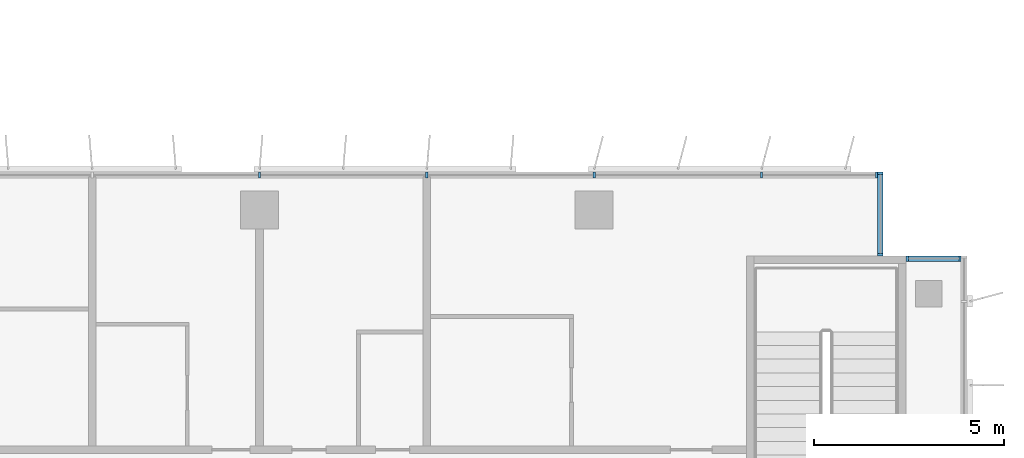
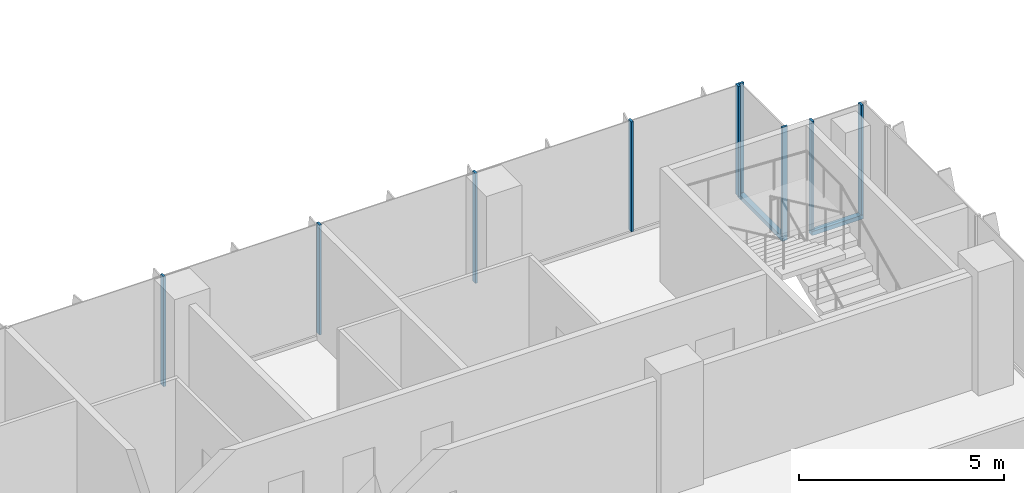
# One storey, part 4 of 21: 11 members, 3 elements without a shape of their own.
"""IFC4 building model written with IfcOpenShell, lengths in metres."""

from ifc_helpers import new_model, si_unit, direction, frame, origin, origin_2d, place, context, subcontext, project, spatial, rectangle, extrude, source, transform, mapped, material, material_profile, profile_set, type_object, element, aggregate, save


model = new_model("IFC4")

# Units and contexts
model_context = context("Model", 3, precision=1e-05, world=origin(), true_north=direction((0.0, 1.0)))
body_context = subcontext(model_context, "Body", "Model", "MODEL_VIEW")
ifc_project = project(units=[si_unit("LENGTHUNIT", "METRE"), si_unit("AREAUNIT", "SQUARE_METRE"), si_unit("VOLUMEUNIT", "CUBIC_METRE"), si_unit("PLANEANGLEUNIT", "RADIAN"), si_unit("MASSUNIT", "GRAM", prefix="KILO")], contexts=[model_context])

# Site, building, storey
site_placement = place(None, origin())
site = spatial("IfcSite", under=ifc_project, at=site_placement, CompositionType="ELEMENT")
building_placement = place(site_placement, origin())
building = spatial("IfcBuilding", under=site, at=building_placement, Name="Kemantara Hotel Tower", CompositionType="ELEMENT")
storey_placement = place(building_placement, frame((0.0, 0.0, 179.0)))
storey = spatial("IfcBuildingStorey", under=building, at=storey_placement, Name="L44", CompositionType="ELEMENT", Elevation=179.0)

# Curtain wall, member
ifc_material_1 = material(Name="Low-E tinted double insulated glass 36 mm", Category="glass")
curtain_wall_type = type_object("IfcCurtainWallType", Name="TOWER CURTAIN WALL, FRONT FACES", PredefinedType="USERDEFINED", material=ifc_material_1)
curtain_wall_1_placement = place(storey_placement, origin())
curtain_wall_1 = element("IfcCurtainWall", 1, at=curtain_wall_1_placement, inside=storey, type_object=curtain_wall_type, Name="CW4 L44 T3-R12-1", ObjectType="TOWER CURTAIN WALL, FRONT FACES", PredefinedType="USERDEFINED")
ifc_material_2 = material(Name="Aluminium 6063-T6 bronze anodised", Category="aluminium")
ifc_material_profile_1 = material_profile(ifc_material_2, rectangle(XDim=0.14990234375, YDim=0.1201171875, at=origin_2d()), Name="TOWER CURTAIN WALL, FRONT FACES TRANSOM")
ifc_profile_set_1 = profile_set([ifc_material_profile_1], Name="Aluminium 6063-T6 bronze anodised")
member_type_1 = type_object("IfcMemberType", Name="TOWER CURTAIN WALL, FRONT FACES TRANSOM", PredefinedType="USERDEFINED", material=ifc_profile_set_1)
member_1_placement = place(storey_placement, frame((63.449951171875, 19.72509765625, 0.06005859375), z_axis=(-1.0, 0.0, 0.0), x_axis=(0.0, -1.0, 0.0)))
member_1 = element("IfcMember", 2, at=member_1_placement, type_object=member_type_1, Name="CW4 sill transom T3-R12-1", ObjectType="TRANSOM", PredefinedType="USERDEFINED", context=body_context, shape_type="SweptSolid", body=[
    extrude(rectangle(XDim=0.14990234375, YDim=0.1201171875, at=origin_2d()), origin(), (0.0, 0.0, 1.0), 1.449951171875),
])

curtain_wall_2_placement = place(storey_placement, origin())
curtain_wall_2 = element("IfcCurtainWall", 3, at=curtain_wall_2_placement, inside=storey, type_object=curtain_wall_type, Name="CW4 L44 T3-R13-1", ObjectType="TOWER CURTAIN WALL, FRONT FACES", PredefinedType="USERDEFINED")
member_2_placement = place(storey_placement, frame((61.324951171875, 19.800048828125, 0.06005859375), z_axis=(0.0, 1.0, 0.0), x_axis=(-1.0, 0.0, 0.0)))
member_2 = element("IfcMember", 4, at=member_2_placement, type_object=member_type_1, Name="CW4 sill transom T3-R13-1", ObjectType="TRANSOM", PredefinedType="USERDEFINED", context=body_context, shape_type="SweptSolid", body=[
    extrude(rectangle(XDim=0.14990234375, YDim=0.1201171875, at=origin_2d()), origin(), (0.0, 0.0, 1.0), 2.199951171875),
])

# Curtain wall, members
curtain_wall_3_placement = place(storey_placement, origin())
curtain_wall_3 = element("IfcCurtainWall", 5, at=curtain_wall_3_placement, inside=storey, type_object=curtain_wall_type, Name="CW4 L44 T3-R14-1", ObjectType="TOWER CURTAIN WALL, FRONT FACES", PredefinedType="USERDEFINED")
ifc_material_profile_2 = material_profile(ifc_material_2, rectangle(XDim=0.14990234375, YDim=0.06005859375, at=origin_2d()), Name="TOWER CURTAIN WALL, FRONT FACES MULLION")
ifc_profile_set_2 = profile_set([ifc_material_profile_2], Name="Aluminium 6063-T6 bronze anodised")
member_type_2 = type_object("IfcMemberType", Name="TOWER CURTAIN WALL, FRONT FACES MULLION", PredefinedType="MULLION", material=ifc_profile_set_2)
shared_shape = source(origin(), body_context, "Body", "SweptSolid", [
    extrude(rectangle(XDim=0.14990234375, YDim=0.06005859375, at=origin_2d()), origin(), (0.0, 0.0, 1.0), 3.27978515625),
])
member_3_placement = place(storey_placement, frame((61.219970703125, 21.925048828125, 0.1201171875), z_axis=(0.0, 0.0, 1.0), x_axis=(0.0, -1.0, 0.0)))
member_3 = element("IfcMember", 6, at=member_3_placement, type_object=member_type_2, Name="CW4 mullion T3-R14-1.1", PredefinedType="MULLION", context=body_context, shape_type="MappedRepresentation", body=[
    mapped(shared_shape, transform((0.0, 0.0, 0.0))),
])
member_4_placement = place(storey_placement, frame((58.199951171875, 21.925048828125, 0.1201171875), z_axis=(0.0, 0.0, 1.0), x_axis=(0.0, -1.0, 0.0)))
member_4 = element("IfcMember", 7, at=member_4_placement, type_object=member_type_2, Name="CW4 mullion T3-R14-1.2", PredefinedType="MULLION", context=body_context, shape_type="MappedRepresentation", body=[
    mapped(shared_shape, transform((0.0, 0.0, 0.0))),
])
member_5_placement = place(storey_placement, frame((53.800048828125, 21.925048828125, 0.1201171875), z_axis=(0.0, 0.0, 1.0), x_axis=(0.0, -1.0, 0.0)))
member_5 = element("IfcMember", 8, at=member_5_placement, type_object=member_type_2, Name="CW4 mullion T3-R14-1.3", PredefinedType="MULLION", context=body_context, shape_type="MappedRepresentation", body=[
    mapped(shared_shape, transform((0.0, 0.0, 0.0))),
])
member_6_placement = place(storey_placement, frame((49.39990234375, 21.925048828125, 0.1201171875), z_axis=(0.0, 0.0, 1.0), x_axis=(0.0, -1.0, 0.0)))
member_6 = element("IfcMember", 9, at=member_6_placement, type_object=member_type_2, Name="CW4 mullion T3-R14-1.4", PredefinedType="MULLION", context=body_context, shape_type="MappedRepresentation", body=[
    mapped(shared_shape, transform((0.0, 0.0, 0.0))),
])
member_7_placement = place(storey_placement, frame((45.0, 21.925048828125, 0.1201171875), z_axis=(0.0, 0.0, 1.0), x_axis=(0.0, -1.0, 0.0)))
member_7 = element("IfcMember", 10, at=member_7_placement, type_object=member_type_2, Name="CW4 mullion T3-R14-1.5", PredefinedType="MULLION", context=body_context, shape_type="MappedRepresentation", body=[
    mapped(shared_shape, transform((0.0, 0.0, 0.0))),
])
aggregate(curtain_wall_3, [member_3, member_4, member_5, member_6, member_7])

# Member
member_8_placement = place(storey_placement, frame((63.419921875, 19.72509765625, 0.1201171875), z_axis=(0.0, 0.0, 1.0), x_axis=(0.0, -1.0, 0.0)))
member_8 = element("IfcMember", 11, at=member_8_placement, type_object=member_type_2, Name="CW4 mullion T3-R12-1.1", PredefinedType="MULLION", context=body_context, shape_type="MappedRepresentation", body=[
    mapped(shared_shape, transform((0.0, 0.0, 0.0))),
])

member_9_placement = place(storey_placement, frame((62.030029296875, 19.72509765625, 0.1201171875), z_axis=(0.0, 0.0, 1.0), x_axis=(0.0, -1.0, 0.0)))
member_9 = element("IfcMember", 12, at=member_9_placement, type_object=member_type_2, Name="CW4 mullion T3-R12-1.2", PredefinedType="MULLION", context=body_context, shape_type="MappedRepresentation", body=[
    mapped(shared_shape, transform((0.0, 0.0, 0.0))),
])

aggregate(curtain_wall_1, [member_1, member_8, member_9])

member_10_placement = place(storey_placement, frame((61.324951171875, 19.830078125, 0.1201171875), z_axis=(0.0, 0.0, 1.0), x_axis=(-1.0, 0.0, 0.0)))
member_10 = element("IfcMember", 13, at=member_10_placement, type_object=member_type_2, Name="CW4 mullion T3-R13-1.1", PredefinedType="MULLION", context=body_context, shape_type="MappedRepresentation", body=[
    mapped(shared_shape, transform((0.0, 0.0, 0.0))),
])

member_11_placement = place(storey_placement, frame((61.324951171875, 21.969970703125, 0.1201171875), z_axis=(0.0, 0.0, 1.0), x_axis=(-1.0, 0.0, 0.0)))
member_11 = element("IfcMember", 14, at=member_11_placement, type_object=member_type_2, Name="CW4 mullion T3-R13-1.2", PredefinedType="MULLION", context=body_context, shape_type="MappedRepresentation", body=[
    mapped(shared_shape, transform((0.0, 0.0, 0.0))),
])

aggregate(curtain_wall_2, [member_2, member_10, member_11])

save(model, "model.ifc")
